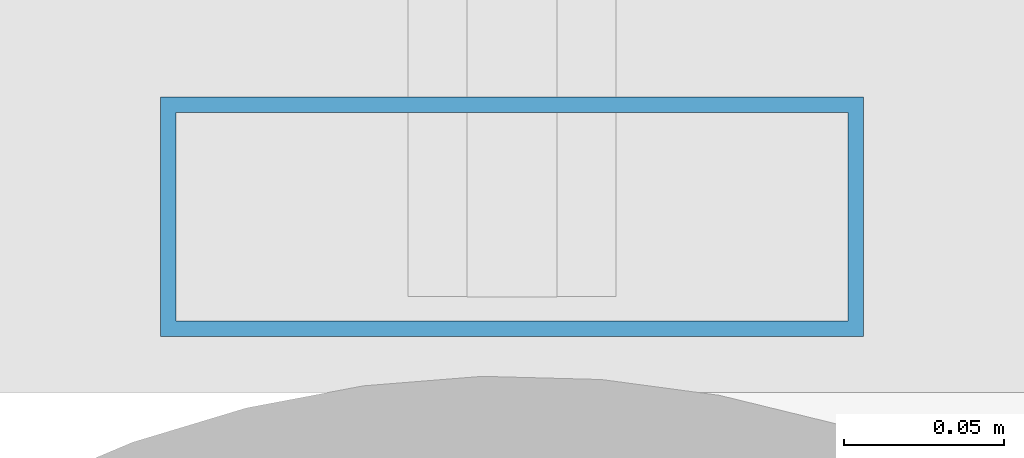
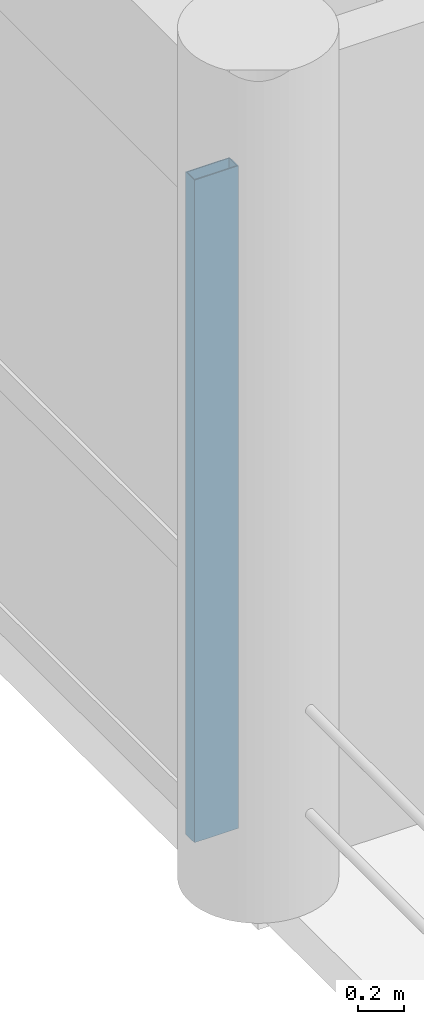
# One storey, part 14 of 116: 1 member, 1 element without a shape of its own.
"""IFC4 building model written with IfcOpenShell, lengths in metres."""

from ifc_helpers import new_model, si_unit, direction, frame, origin, origin_2d, place, context, subcontext, project, spatial, hollow_rectangle, extrude, material, material_profile, profile_set, type_object, element, aggregate, save


model = new_model("IFC4")

# Units and contexts
model_context = context("Model", 3, precision=1e-05, world=origin(), true_north=direction((0.0, 1.0)))
body_context = subcontext(model_context, "Body", "Model", "MODEL_VIEW")
ifc_project = project(units=[si_unit("LENGTHUNIT", "METRE"), si_unit("AREAUNIT", "SQUARE_METRE"), si_unit("VOLUMEUNIT", "CUBIC_METRE"), si_unit("PLANEANGLEUNIT", "RADIAN"), si_unit("MASSUNIT", "GRAM", prefix="KILO"), si_unit("THERMODYNAMICTEMPERATUREUNIT", "KELVIN"), si_unit("POWERUNIT", "WATT")], contexts=[model_context])

# Site, building, storey
site_placement = place(None, origin())
site = spatial("IfcSite", under=ifc_project, at=site_placement, CompositionType="ELEMENT")
building_placement = place(site_placement, origin())
building = spatial("IfcBuilding", under=site, at=building_placement, Name="Phaisarnlok Congress Hotel", CompositionType="ELEMENT")
storey_placement = place(building_placement, frame((0.0, 0.0, 10.5)))
storey = spatial("IfcBuildingStorey", under=building, at=storey_placement, Name="L02", CompositionType="ELEMENT", Elevation=10.5)

# Curtain wall, member
ifc_material_1 = material(Name="Thermally Broken Unitised Aluminium & Low-E Glazing", Category="aluminium")
curtain_wall_type = type_object("IfcCurtainWallType", Name="CW-UNIT-17", PredefinedType="NOTDEFINED", material=ifc_material_1)
curtain_wall_placement = place(storey_placement, origin())
curtain_wall = element("IfcCurtainWall", 1, at=curtain_wall_placement, inside=storey, type_object=curtain_wall_type, Name="Unitised curtain wall CW-17 (L02)", PredefinedType="NOTDEFINED")
ifc_material_2 = material(Name="Anodised Aluminium Alloy 6063-T6", Category="aluminium")
ifc_material_profile = material_profile(ifc_material_2, hollow_rectangle(XDim=0.074951171875, YDim=0.219970703125, WallThickness=0.0048828125, at=origin_2d()), Name="ALU-M 75x220x5")
ifc_profile_set = profile_set([ifc_material_profile], Name="Anodised Aluminium Alloy 6063-T6")
member_type = type_object("IfcMemberType", Name="CWM-220", PredefinedType="MULLION", material=ifc_profile_set)
member_placement = place(storey_placement, frame((54.0, 30.39990234375, 0.0), z_axis=(0.0, 0.0, 1.0), x_axis=(0.0, -1.0, 0.0)))
member = element("IfcMember", 2, at=member_placement, type_object=member_type, Name="Curtain wall mullion CWM-02", PredefinedType="MULLION", context=body_context, shape_type="SweptSolid", body=[
    extrude(hollow_rectangle(XDim=0.074951171875, YDim=0.219970703125, WallThickness=0.0048828125, at=origin_2d()), origin(), (0.0, 0.0, 1.0), 3.510009765625),
])
aggregate(curtain_wall, [member])

save(model, "model.ifc")
